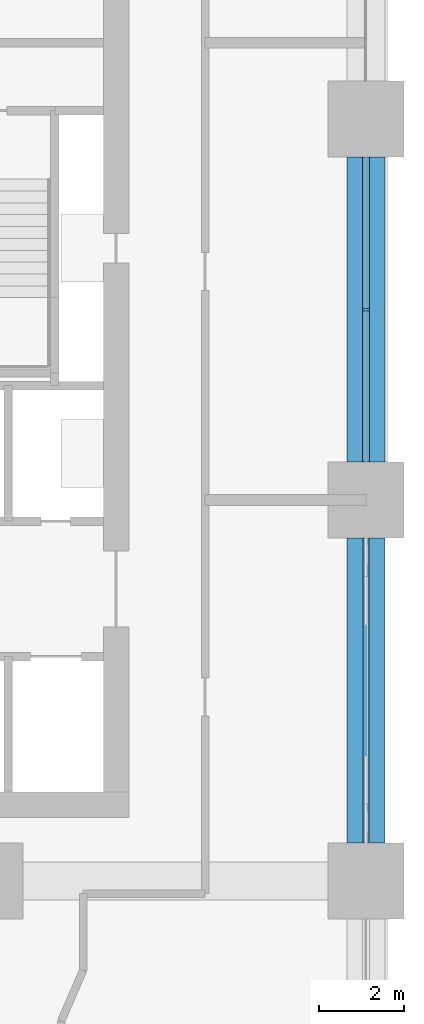
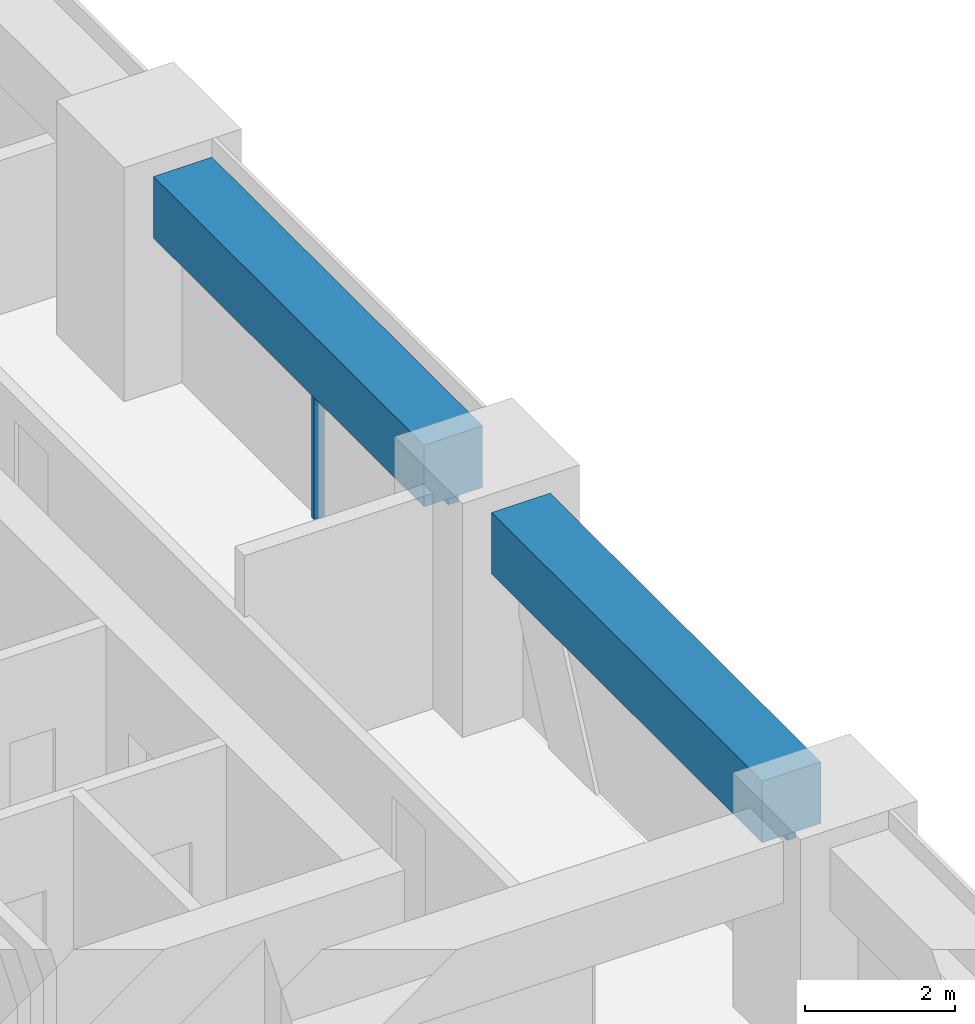
# One storey, part 8 of 23: 3 members, 2 beams, 2 elements without a shape of their own.
"""IFC4 building model written with IfcOpenShell, lengths in metres."""

from ifc_helpers import new_model, si_unit, direction, frame, origin, origin_2d, place, context, subcontext, project, spatial, rectangle, extrude, material, material_profile, profile_set, type_object, element, aggregate, save


model = new_model("IFC4")

# Units and contexts
model_context = context("Model", 3, precision=1e-05, world=origin(), true_north=direction((0.0, 1.0)))
body_context = subcontext(model_context, "Body", "Model", "MODEL_VIEW")
ifc_project = project(units=[si_unit("LENGTHUNIT", "METRE"), si_unit("AREAUNIT", "SQUARE_METRE"), si_unit("VOLUMEUNIT", "CUBIC_METRE"), si_unit("PLANEANGLEUNIT", "RADIAN"), si_unit("MASSUNIT", "GRAM", prefix="KILO")], contexts=[model_context])

# Site, building, storey
site_placement = place(None, origin())
site = spatial("IfcSite", under=ifc_project, at=site_placement, CompositionType="ELEMENT")
building_placement = place(site_placement, origin())
building = spatial("IfcBuilding", under=site, at=building_placement, Name="Tessera Arch", CompositionType="ELEMENT")
storey_placement = place(building_placement, frame((0.0, 0.0, 57.60009765625)))
storey = spatial("IfcBuildingStorey", under=building, at=storey_placement, Name="L12", CompositionType="ELEMENT", Elevation=57.60009765625)

# Curtain wall, members
ifc_material_1 = material(Name="CW1 curtain wall")
curtain_wall_type_1 = type_object("IfcCurtainWallType", Name="CW1 curtain wall", PredefinedType="NOTDEFINED", material=ifc_material_1)
curtain_wall_1_placement = place(storey_placement, origin())
curtain_wall_1 = element("IfcCurtainWall", 1, at=curtain_wall_1_placement, inside=storey, type_object=curtain_wall_type_1, Name="CW1 curtain wall E54.0/4 L12", PredefinedType="NOTDEFINED")
ifc_material_2 = material(Name="Anodised aluminium pale metal", Category="aluminium")
ifc_material_profile_1 = material_profile(ifc_material_2, rectangle(XDim=0.159912109375, YDim=0.06005859375, at=origin_2d()), Name="AL 60x160")
ifc_profile_set_1 = profile_set([ifc_material_profile_1], Name="Anodised aluminium pale metal")
member_type_1 = type_object("IfcMemberType", Name="CW1 mullion", PredefinedType="MULLION", material=ifc_profile_set_1)
member_1_placement = place(storey_placement, frame((54.0, 40.5, 0.0), z_axis=(0.0, 0.0, 1.0), x_axis=(-1.0, 0.0, 0.0)))
member_1 = element("IfcMember", 2, at=member_1_placement, type_object=member_type_1, Name="CW1 mullion E54.0/4 1", PredefinedType="MULLION", context=body_context, shape_type="SweptSolid", body=[
    extrude(rectangle(XDim=0.159912109375, YDim=0.06005859375, at=origin_2d()), origin(), (0.0, 0.0, 1.0), 2.39990234375),
])
ifc_material_3 = material(Name="Anodised aluminium pale metal", Category="aluminium")
ifc_material_profile_2 = material_profile(ifc_material_3, rectangle(XDim=0.159912109375, YDim=0.10009765625, at=origin_2d()), Name="AL 160x100")
ifc_profile_set_2 = profile_set([ifc_material_profile_2], Name="Anodised aluminium pale metal")
member_type_2 = type_object("IfcMemberType", Name="CW1 transom", PredefinedType="USERDEFINED", material=ifc_profile_set_2)
member_2_placement = place(storey_placement, frame((54.0, 36.89990234375, 2.449951171875), z_axis=(0.0, 1.0, 0.0), x_axis=(-1.0, 0.0, 0.0)))
member_2 = element("IfcMember", 3, at=member_2_placement, type_object=member_type_2, Name="CW1 transom E54.0/4 1.1", ObjectType="TRANSOM", PredefinedType="USERDEFINED", context=body_context, shape_type="SweptSolid", body=[
    extrude(rectangle(XDim=0.159912109375, YDim=0.10009765625, at=origin_2d()), origin(), (0.0, 0.0, 1.0), 7.2001953125),
])
aggregate(curtain_wall_1, [member_1, member_2])

# Curtain wall, member
ifc_material_4 = material(Name="CW3 curtain wall")
curtain_wall_type_2 = type_object("IfcCurtainWallType", Name="CW3 curtain wall", PredefinedType="NOTDEFINED", material=ifc_material_4)
curtain_wall_2_placement = place(storey_placement, origin())
curtain_wall_2 = element("IfcCurtainWall", 4, at=curtain_wall_2_placement, inside=storey, type_object=curtain_wall_type_2, Name="CW3 curtain wall E54.0/3 L12", PredefinedType="NOTDEFINED")
ifc_material_5 = material(Name="Anodised aluminium pale metal", Category="aluminium")
ifc_material_profile_3 = material_profile(ifc_material_5, rectangle(XDim=0.139892578125, YDim=0.10009765625, at=origin_2d()), Name="AL 140x100")
ifc_profile_set_3 = profile_set([ifc_material_profile_3], Name="Anodised aluminium pale metal")
member_type_3 = type_object("IfcMemberType", Name="CW3 transom", PredefinedType="USERDEFINED", material=ifc_profile_set_3)
member_3_placement = place(storey_placement, frame((54.0, 27.89990234375, 2.449951171875), z_axis=(0.0, 1.0, 0.0), x_axis=(-1.0, 0.0, 0.0)))
member_3 = element("IfcMember", 5, at=member_3_placement, type_object=member_type_3, Name="CW3 transom E54.0/3 1.1", ObjectType="TRANSOM", PredefinedType="USERDEFINED", context=body_context, shape_type="SweptSolid", body=[
    extrude(rectangle(XDim=0.139892578125, YDim=0.10009765625, at=origin_2d()), origin(), (0.0, 0.0, 1.0), 7.2001953125),
])
aggregate(curtain_wall_2, [member_3])

# Beams
ifc_material_6 = material(Name="Concrete C80/95", Category="concrete")
ifc_material_profile_4 = material_profile(ifc_material_6, rectangle(XDim=0.89990234375, YDim=1.0, at=origin_2d()), Name="RC spandrel beam 900 x 1000 Concrete C80/95")
ifc_profile_set_4 = profile_set([ifc_material_profile_4], Name="Concrete C80/95")
beam_type = type_object("IfcBeamType", Name="RC spandrel beam 900 x 1000 Concrete C80/95", PredefinedType="BEAM", material=ifc_profile_set_4)
for number, where, z_axis, x_axis, name in (
    (6, (54.0, 27.89990234375, 3.0), (0.0, 1.0, 0.0), (-1.0, 0.0, 0.0), "Spandrel beam L12 E54.0/3"),
    (7, (54.0, 36.89990234375, 3.0), (0.0, 1.0, 0.0), (-1.0, 0.0, 0.0), "Spandrel beam L12 E54.0/4"),
):
    element("IfcBeam", number, at=place(storey_placement, frame(where, z_axis=z_axis, x_axis=x_axis)), inside=storey, type_object=beam_type, Name=name, PredefinedType="BEAM", context=body_context, shape_type="SweptSolid", body=[
        extrude(rectangle(XDim=0.89990234375, YDim=1.0, at=origin_2d()), origin(), (0.0, 0.0, 1.0), 7.2001953125),
    ])

save(model, "model.ifc")
